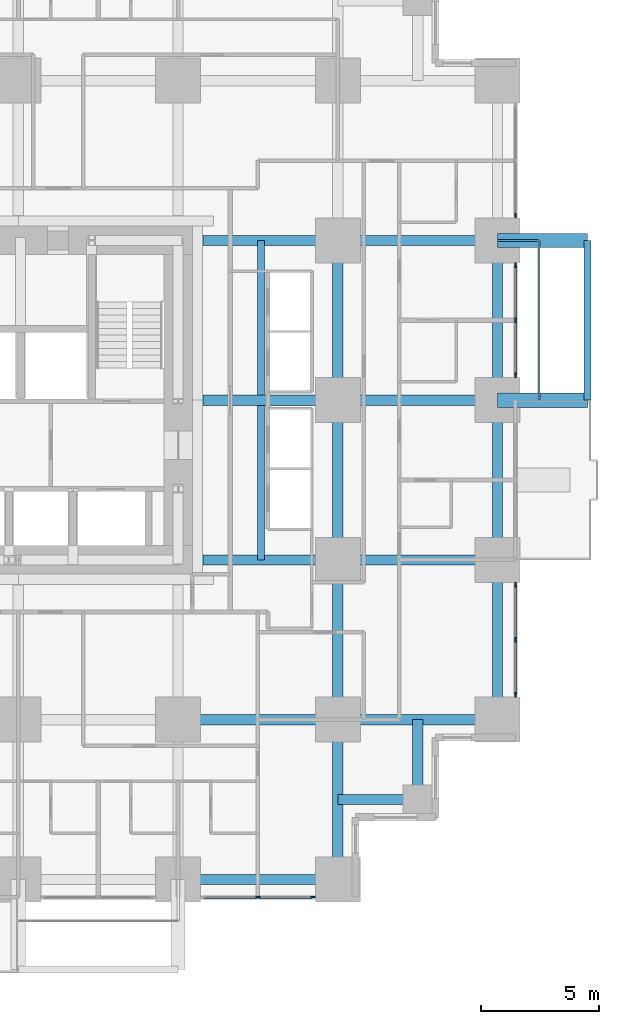
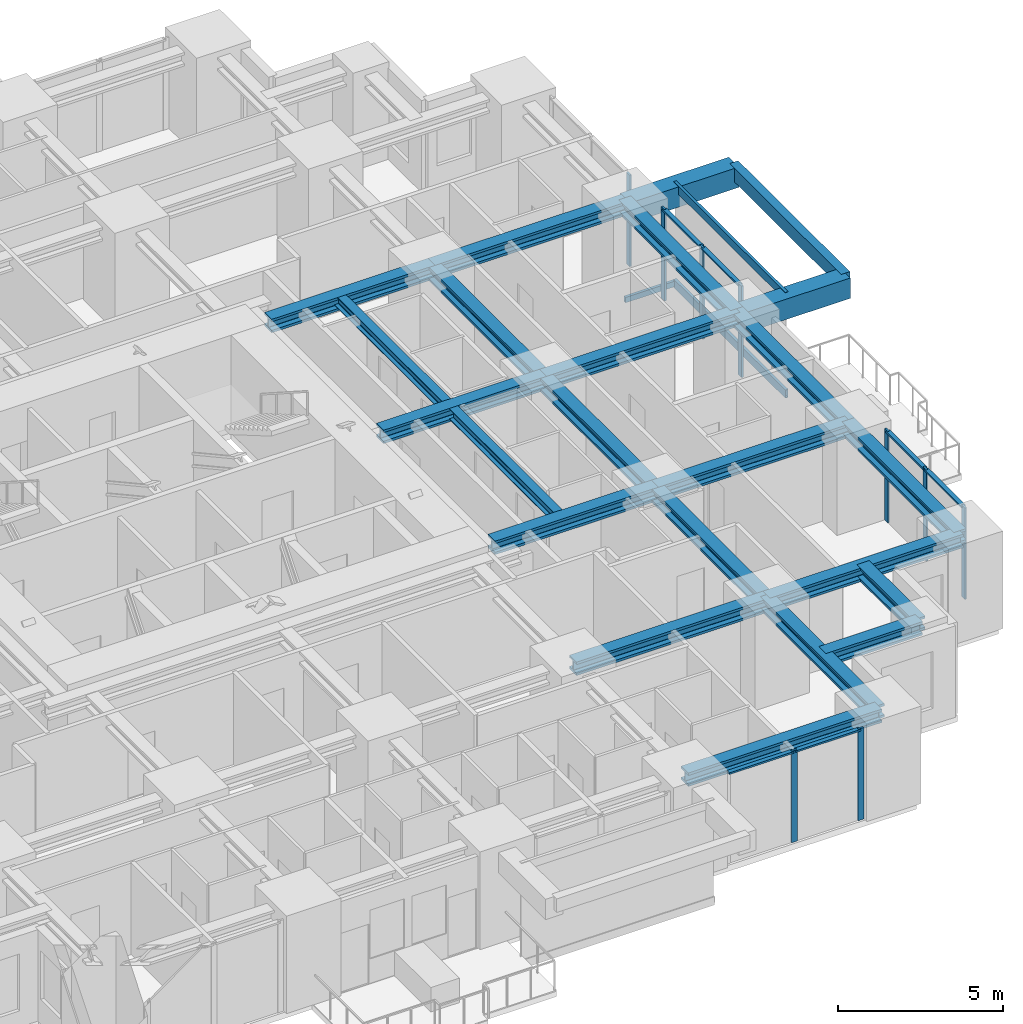
# One storey, part 4 of 14: 23 beams, 18 members, 4 elements without a shape of their own.
"""IFC4 building model written with IfcOpenShell, lengths in metres."""

from ifc_helpers import new_model, si_unit, direction, frame, origin, origin_2d, place, context, subcontext, project, spatial, rectangle, hollow_rectangle, i_section, extrude, material, material_profile, profile_set, type_object, element, aggregate, save


model = new_model("IFC4")

# Units and contexts
model_context = context("Model", 3, precision=1e-05, world=origin(), true_north=direction((0.0, 1.0)))
body_context = subcontext(model_context, "Body", "Model", "MODEL_VIEW")
ifc_project = project(units=[si_unit("LENGTHUNIT", "METRE"), si_unit("AREAUNIT", "SQUARE_METRE"), si_unit("VOLUMEUNIT", "CUBIC_METRE"), si_unit("PLANEANGLEUNIT", "RADIAN"), si_unit("MASSUNIT", "GRAM", prefix="KILO")], contexts=[model_context])

# Site, building, storey
site_placement = place(None, origin())
site = spatial("IfcSite", under=ifc_project, at=site_placement, CompositionType="ELEMENT")
building_placement = place(site_placement, origin())
building = spatial("IfcBuilding", under=site, at=building_placement, Name="Nyansa Garden Tower", CompositionType="ELEMENT")
storey_placement = place(building_placement, frame((0.0, 0.0, 39.60009765625)))
storey = spatial("IfcBuildingStorey", under=building, at=storey_placement, Name="L10", CompositionType="ELEMENT", Elevation=39.60009765625)

# Beams
ifc_material_1 = material(Name="Concrete C70/85", Category="concrete")
ifc_material_profile_1 = material_profile(ifc_material_1, rectangle(XDim=0.60009765625, YDim=0.75, at=origin_2d()), Name="RC 600x750")
ifc_profile_set_1 = profile_set([ifc_material_profile_1], Name="Concrete C70/85")
beam_type_1 = type_object("IfcBeamType", Name="Balcony cantilever beam CB1 RC 600x750", PredefinedType="BEAM", material=ifc_profile_set_1)
for number, where, z_axis, x_axis, name in (
    (1, (40.5, 20.25, 2.98486328125), (1.0, 0.0, 0.0), (0.0, 1.0, 0.0), "Balcony cantilever beam L11"),
    (2, (40.5, 27.0, 2.98486328125), (1.0, 0.0, 0.0), (0.0, 1.0, 0.0), "Balcony cantilever beam L11"),
):
    element("IfcBeam", number, at=place(storey_placement, frame(where, z_axis=z_axis, x_axis=x_axis)), inside=storey, type_object=beam_type_1, Name=name, PredefinedType="BEAM", context=body_context, shape_type="SweptSolid", body=[
        extrude(rectangle(XDim=0.60009765625, YDim=0.75, at=origin_2d()), origin(), (0.0, 0.0, 1.0), 3.800048828125),
    ])
ifc_material_2 = material(Name="Concrete C70/85", Category="concrete")
ifc_material_profile_2 = material_profile(ifc_material_2, rectangle(XDim=0.300048828125, YDim=0.5, at=origin_2d()), Name="RC 300x500")
ifc_profile_set_2 = profile_set([ifc_material_profile_2], Name="Concrete C70/85")
beam_type_2 = type_object("IfcBeamType", Name="Balcony edge beam BE1 RC 300x500", PredefinedType="BEAM", material=ifc_profile_set_2)
beam_1_placement = place(storey_placement, frame((44.300048828125, 20.25, 3.10986328125), z_axis=(0.0, 1.0, 0.0), x_axis=(-1.0, 0.0, 0.0)))
element("IfcBeam", 3, at=beam_1_placement, inside=storey, type_object=beam_type_2, Name="Balcony edge beam L11", PredefinedType="BEAM", context=body_context, shape_type="SweptSolid", body=[
    extrude(rectangle(XDim=0.300048828125, YDim=0.5, at=origin_2d()), origin(), (0.0, 0.0, 1.0), 6.75),
])

# Curtain wall, members
ifc_material_3 = material(Name="Black anodised aluminium, dark tinted double glazing", Category="aluminium")
curtain_wall_type = type_object("IfcCurtainWallType", Name="Inner skin curtain wall ISW-A", PredefinedType="USERDEFINED", material=ifc_material_3)
curtain_wall_1_placement = place(storey_placement, origin())
curtain_wall_1 = element("IfcCurtainWall", 4, at=curtain_wall_1_placement, inside=storey, type_object=curtain_wall_type, Name="Inner skin curtain wall L10 E", ObjectType="UNITISED CURTAIN WALL", PredefinedType="USERDEFINED")
ifc_material_4 = material(Name="Black anodised aluminium", Category="aluminium")
ifc_material_profile_3 = material_profile(ifc_material_4, rectangle(XDim=0.06494140625, YDim=0.199951171875, at=origin_2d()), Name="Mullion 200x65")
ifc_profile_set_3 = profile_set([ifc_material_profile_3], Name="Black anodised aluminium")
member_type_1 = type_object("IfcMemberType", Name="Mullion ISW-A 200x65", PredefinedType="MULLION", material=ifc_profile_set_3)
member_1_placement = place(storey_placement, frame((41.25, 7.800048828125, 0.0), z_axis=(0.0, 0.0, 1.0), x_axis=(-1.0, 0.0, 0.0)))
member_1 = element("IfcMember", 5, at=member_1_placement, type_object=member_type_1, Name="ISW-A mullion 1", PredefinedType="MULLION", context=body_context, shape_type="SweptSolid", body=[
    extrude(rectangle(XDim=0.06494140625, YDim=0.199951171875, at=origin_2d()), origin(), (0.0, 0.0, 1.0), 3.375),
])
member_2_placement = place(storey_placement, frame((41.25, 10.125, 0.0), z_axis=(0.0, 0.0, 1.0), x_axis=(-1.0, 0.0, 0.0)))
member_2 = element("IfcMember", 6, at=member_2_placement, type_object=member_type_1, Name="ISW-A mullion 2", PredefinedType="MULLION", context=body_context, shape_type="SweptSolid", body=[
    extrude(rectangle(XDim=0.06494140625, YDim=0.199951171875, at=origin_2d()), origin(), (0.0, 0.0, 1.0), 3.375),
])
member_3_placement = place(storey_placement, frame((41.25, 12.449951171875, 0.0), z_axis=(0.0, 0.0, 1.0), x_axis=(-1.0, 0.0, 0.0)))
member_3 = element("IfcMember", 7, at=member_3_placement, type_object=member_type_1, Name="ISW-A mullion 3", PredefinedType="MULLION", context=body_context, shape_type="SweptSolid", body=[
    extrude(rectangle(XDim=0.06494140625, YDim=0.199951171875, at=origin_2d()), origin(), (0.0, 0.0, 1.0), 3.375),
])

curtain_wall_2_placement = place(storey_placement, origin())
curtain_wall_2 = element("IfcCurtainWall", 8, at=curtain_wall_2_placement, inside=storey, type_object=curtain_wall_type, Name="Inner skin curtain wall L10 E", ObjectType="UNITISED CURTAIN WALL", PredefinedType="USERDEFINED")
member_4_placement = place(storey_placement, frame((41.25, 21.300048828125, 0.0), z_axis=(0.0, 0.0, 1.0), x_axis=(-1.0, 0.0, 0.0)))
member_4 = element("IfcMember", 9, at=member_4_placement, type_object=member_type_1, Name="ISW-A mullion 1", PredefinedType="MULLION", context=body_context, shape_type="SweptSolid", body=[
    extrude(rectangle(XDim=0.06494140625, YDim=0.199951171875, at=origin_2d()), origin(), (0.0, 0.0, 1.0), 3.375),
])
member_5_placement = place(storey_placement, frame((41.25, 23.625, 0.0), z_axis=(0.0, 0.0, 1.0), x_axis=(-1.0, 0.0, 0.0)))
member_5 = element("IfcMember", 10, at=member_5_placement, type_object=member_type_1, Name="ISW-A mullion 2", PredefinedType="MULLION", context=body_context, shape_type="SweptSolid", body=[
    extrude(rectangle(XDim=0.06494140625, YDim=0.199951171875, at=origin_2d()), origin(), (0.0, 0.0, 1.0), 3.375),
])
member_6_placement = place(storey_placement, frame((41.25, 25.949951171875, 0.0), z_axis=(0.0, 0.0, 1.0), x_axis=(-1.0, 0.0, 0.0)))
member_6 = element("IfcMember", 11, at=member_6_placement, type_object=member_type_1, Name="ISW-A mullion 3", PredefinedType="MULLION", context=body_context, shape_type="SweptSolid", body=[
    extrude(rectangle(XDim=0.06494140625, YDim=0.199951171875, at=origin_2d()), origin(), (0.0, 0.0, 1.0), 3.375),
])

# Curtain wall, member
curtain_wall_3_placement = place(storey_placement, origin())
curtain_wall_3 = element("IfcCurtainWall", 12, at=curtain_wall_3_placement, inside=storey, type_object=curtain_wall_type, Name="Inner skin curtain wall L10 E", ObjectType="UNITISED CURTAIN WALL", PredefinedType="USERDEFINED")
member_7_placement = place(storey_placement, frame((41.25, 28.050048828125, 0.0), z_axis=(0.0, 0.0, 1.0), x_axis=(-1.0, 0.0, 0.0)))
member_7 = element("IfcMember", 13, at=member_7_placement, type_object=member_type_1, Name="ISW-A mullion 1", PredefinedType="MULLION", context=body_context, shape_type="SweptSolid", body=[
    extrude(rectangle(XDim=0.06494140625, YDim=0.199951171875, at=origin_2d()), origin(), (0.0, 0.0, 1.0), 3.375),
])
aggregate(curtain_wall_3, [member_7])

# Curtain wall, members
curtain_wall_4_placement = place(storey_placement, origin())
curtain_wall_4 = element("IfcCurtainWall", 14, at=curtain_wall_4_placement, inside=storey, type_object=curtain_wall_type, Name="Inner skin curtain wall L10 S", ObjectType="UNITISED CURTAIN WALL", PredefinedType="USERDEFINED")
member_8_placement = place(storey_placement, frame((30.375, -0.75, 0.0), z_axis=(0.0, 0.0, 1.0), x_axis=(0.0, 1.0, 0.0)))
member_8 = element("IfcMember", 15, at=member_8_placement, type_object=member_type_1, Name="ISW-A mullion 2", PredefinedType="MULLION", context=body_context, shape_type="SweptSolid", body=[
    extrude(rectangle(XDim=0.06494140625, YDim=0.199951171875, at=origin_2d()), origin(), (0.0, 0.0, 1.0), 3.375),
])
member_9_placement = place(storey_placement, frame((32.699951171875, -0.75, 0.0), z_axis=(0.0, 0.0, 1.0), x_axis=(0.0, 1.0, 0.0)))
member_9 = element("IfcMember", 16, at=member_9_placement, type_object=member_type_1, Name="ISW-A mullion 3", PredefinedType="MULLION", context=body_context, shape_type="SweptSolid", body=[
    extrude(rectangle(XDim=0.06494140625, YDim=0.199951171875, at=origin_2d()), origin(), (0.0, 0.0, 1.0), 3.375),
])

# Members
ifc_material_5 = material(Name="Steel S355, black powder coated", Category="steel")
ifc_material_profile_4 = material_profile(ifc_material_5, hollow_rectangle(XDim=0.10009765625, YDim=0.199951171875, WallThickness=0.008056640625, at=origin_2d()), Name="RHS 200x100x8")
ifc_profile_set_4 = profile_set([ifc_material_profile_4], Name="Steel S355, black powder coated")
member_type_2 = type_object("IfcMemberType", Name="Outer skin bracket arm RHS 200x100x8", PredefinedType="USERDEFINED", material=ifc_profile_set_4)
member_10_placement = place(storey_placement, frame((40.5, 27.0, -0.375), z_axis=(1.0, 0.0, 0.0), x_axis=(0.0, 1.0, 0.0)))
element("IfcMember", 17, at=member_10_placement, inside=storey, type_object=member_type_2, Name="Outer skin bracket arm", ObjectType="OUTER SKIN BRACKET", PredefinedType="USERDEFINED", context=body_context, shape_type="SweptSolid", body=[
    extrude(hollow_rectangle(XDim=0.10009765625, YDim=0.199951171875, WallThickness=0.008056640625, at=origin_2d()), origin(), (0.0, 0.0, 1.0), 1.75),
])
ifc_material_6 = material(Name="Steel S355, black powder coated", Category="steel")
ifc_material_profile_5 = material_profile(ifc_material_6, hollow_rectangle(XDim=0.10009765625, YDim=0.300048828125, WallThickness=0.010009765625, at=origin_2d()), Name="RHS 300x100x10")
ifc_profile_set_5 = profile_set([ifc_material_profile_5], Name="Steel S355, black powder coated")
member_type_3 = type_object("IfcMemberType", Name="Outer skin rail RHS 300x100x10", PredefinedType="USERDEFINED", material=ifc_profile_set_5)
for number, where, z_axis, x_axis, name in (
    (18, (42.25, 20.25, -0.375), (0.0, 1.0, 0.0), (-1.0, 0.0, 0.0), "Outer skin rail L10"),
    (19, (42.25, 20.25, 3.224853515625), (0.0, 1.0, 0.0), (-1.0, 0.0, 0.0), "Outer skin rail L10 head"),
):
    element("IfcMember", number, at=place(storey_placement, frame(where, z_axis=z_axis, x_axis=x_axis)), inside=storey, type_object=member_type_3, Name=name, ObjectType="OUTER SKIN RAIL", PredefinedType="USERDEFINED", context=body_context, shape_type="SweptSolid", body=[
        extrude(hollow_rectangle(XDim=0.10009765625, YDim=0.300048828125, WallThickness=0.010009765625, at=origin_2d()), origin(), (0.0, 0.0, 1.0), 6.75),
    ])

# Beams
ifc_material_7 = material(Name="Steel S355", Category="steel")
ifc_material_profile_6 = material_profile(ifc_material_7, i_section(OverallWidth=0.431884765625, OverallDepth=0.498046875, WebThickness=0.0556640625, FlangeThickness=0.0888671875, FilletRadius=0.014892578125, at=origin_2d()), Name="HD 400x744")
ifc_profile_set_6 = profile_set([ifc_material_profile_6], Name="Steel S355")
beam_type_3 = type_object("IfcBeamType", Name="Steel beam SBA1-744 HD 400x744", PredefinedType="BEAM", material=ifc_profile_set_6)
beam_2_placement = place(storey_placement, frame((27.0, 6.75, 3.1259765625), z_axis=(1.0, 0.0, 0.0), x_axis=(0.0, 1.0, 0.0)))
element("IfcBeam", 20, at=beam_2_placement, inside=storey, type_object=beam_type_3, Name="Steel beam 6/E-7/E L11", PredefinedType="BEAM", context=body_context, shape_type="SweptSolid", body=[
    extrude(i_section(OverallWidth=0.431884765625, OverallDepth=0.498046875, WebThickness=0.0556640625, FlangeThickness=0.0888671875, FilletRadius=0.014892578125, at=origin_2d()), origin(), (0.0, 0.0, 1.0), 6.75),
])
for number, where, z_axis, x_axis, name in (
    (21, (28.050048828125, 13.5, 3.1259765625), (1.0, 0.0, 0.0), (0.0, 1.0, 0.0), "Steel beam 28.050/F-7/F L11"),
    (22, (28.050048828125, 20.25, 3.1259765625), (1.0, 0.0, 0.0), (0.0, 1.0, 0.0), "Steel beam 28.050/G-7/G L11"),
    (23, (28.050048828125, 27.0, 3.1259765625), (1.0, 0.0, 0.0), (0.0, 1.0, 0.0), "Steel beam 28.050/H-7/H L11"),
):
    element("IfcBeam", number, at=place(storey_placement, frame(where, z_axis=z_axis, x_axis=x_axis)), inside=storey, type_object=beam_type_3, Name=name, PredefinedType="BEAM", context=body_context, shape_type="SweptSolid", body=[
        extrude(i_section(OverallWidth=0.431884765625, OverallDepth=0.498046875, WebThickness=0.0556640625, FlangeThickness=0.0888671875, FilletRadius=0.014892578125, at=origin_2d()), origin(), (0.0, 0.0, 1.0), 5.699951171875),
    ])
for number, where, z_axis, x_axis, name in (
    (24, (33.75, 0.0, 3.1259765625), (0.0, 1.0, 0.0), (-1.0, 0.0, 0.0), "Steel beam 7/D-7/E L11"),
    (25, (33.75, 6.75, 3.1259765625), (0.0, 1.0, 0.0), (-1.0, 0.0, 0.0), "Steel beam 7/E-7/F L11"),
    (26, (33.75, 6.75, 3.1259765625), (1.0, 0.0, 0.0), (0.0, 1.0, 0.0), "Steel beam 7/E-8/E L11"),
    (27, (33.75, 13.5, 3.1259765625), (0.0, 1.0, 0.0), (-1.0, 0.0, 0.0), "Steel beam 7/F-7/G L11"),
    (28, (33.75, 13.5, 3.1259765625), (1.0, 0.0, 0.0), (0.0, 1.0, 0.0), "Steel beam 7/F-8/F L11"),
    (29, (33.75, 20.25, 3.1259765625), (0.0, 1.0, 0.0), (-1.0, 0.0, 0.0), "Steel beam 7/G-7/H L11"),
    (30, (33.75, 20.25, 3.1259765625), (1.0, 0.0, 0.0), (0.0, 1.0, 0.0), "Steel beam 7/G-8/G L11"),
    (31, (33.75, 27.0, 3.1259765625), (1.0, 0.0, 0.0), (0.0, 1.0, 0.0), "Steel beam 7/H-8/H L11"),
):
    element("IfcBeam", number, at=place(storey_placement, frame(where, z_axis=z_axis, x_axis=x_axis)), inside=storey, type_object=beam_type_3, Name=name, PredefinedType="BEAM", context=body_context, shape_type="SweptSolid", body=[
        extrude(i_section(OverallWidth=0.431884765625, OverallDepth=0.498046875, WebThickness=0.0556640625, FlangeThickness=0.0888671875, FilletRadius=0.014892578125, at=origin_2d()), origin(), (0.0, 0.0, 1.0), 6.75),
    ])
ifc_material_8 = material(Name="Steel S355", Category="steel")
ifc_material_profile_7 = material_profile(ifc_material_8, i_section(OverallWidth=0.431884765625, OverallDepth=0.498046875, WebThickness=0.0556640625, FlangeThickness=0.0888671875, FilletRadius=0.014892578125, at=origin_2d()), Name="HD 400x744")
ifc_profile_set_7 = profile_set([ifc_material_profile_7], Name="Steel S355")
beam_type_4 = type_object("IfcBeamType", Name="Steel beam SEBA-744 HD 400x744", PredefinedType="BEAM", material=ifc_profile_set_7)
for number, where, z_axis, x_axis, name in (
    (32, (27.0, 0.0, 3.1259765625), (1.0, 0.0, 0.0), (0.0, 1.0, 0.0), "Steel edge beam 6/D-7/D L11"),
    (33, (40.5, 6.75, 3.1259765625), (0.0, 1.0, 0.0), (-1.0, 0.0, 0.0), "Steel edge beam 8/E-8/F L11"),
    (34, (40.5, 13.5, 3.1259765625), (0.0, 1.0, 0.0), (-1.0, 0.0, 0.0), "Steel edge beam 8/F-8/G L11"),
    (35, (40.5, 20.25, 3.1259765625), (0.0, 1.0, 0.0), (-1.0, 0.0, 0.0), "Steel edge beam 8/G-8/H L11"),
):
    element("IfcBeam", number, at=place(storey_placement, frame(where, z_axis=z_axis, x_axis=x_axis)), inside=storey, type_object=beam_type_4, Name=name, PredefinedType="BEAM", context=body_context, shape_type="SweptSolid", body=[
        extrude(i_section(OverallWidth=0.431884765625, OverallDepth=0.498046875, WebThickness=0.0556640625, FlangeThickness=0.0888671875, FilletRadius=0.014892578125, at=origin_2d()), origin(), (0.0, 0.0, 1.0), 6.75),
    ])
ifc_material_9 = material(Name="Steel S355", Category="steel")
ifc_material_profile_8 = material_profile(ifc_material_9, i_section(OverallWidth=0.431884765625, OverallDepth=0.498046875, WebThickness=0.0556640625, FlangeThickness=0.0888671875, FilletRadius=0.014892578125, at=origin_2d()), Name="HD 400x744")
ifc_profile_set_8 = profile_set([ifc_material_profile_8], Name="Steel S355")
beam_type_5 = type_object("IfcBeamType", Name="Steel beam SSB1-744 HD 400x744", PredefinedType="BEAM", material=ifc_profile_set_8)
for number, where, z_axis, x_axis, name in (
    (36, (37.125, 3.375, 3.1259765625), (0.0, 1.0, 0.0), (-1.0, 0.0, 0.0), "Steel step beam 37.125/3.375 L11"),
    (37, (37.125, 3.375, 3.1259765625), (-1.0, 0.0, 0.0), (0.0, -1.0, 0.0), "Steel step beam 37.125/3.375 L11"),
):
    element("IfcBeam", number, at=place(storey_placement, frame(where, z_axis=z_axis, x_axis=x_axis)), inside=storey, type_object=beam_type_5, Name=name, PredefinedType="BEAM", context=body_context, shape_type="SweptSolid", body=[
        extrude(i_section(OverallWidth=0.431884765625, OverallDepth=0.498046875, WebThickness=0.0556640625, FlangeThickness=0.0888671875, FilletRadius=0.014892578125, at=origin_2d()), origin(), (0.0, 0.0, 1.0), 3.375),
    ])

# Member
ifc_material_10 = material(Name="Black anodised aluminium", Category="aluminium")
ifc_material_profile_9 = material_profile(ifc_material_10, rectangle(XDim=0.14990234375, YDim=0.06494140625, at=origin_2d()), Name="Transom 150x65")
ifc_profile_set_9 = profile_set([ifc_material_profile_9], Name="Black anodised aluminium")
member_type_4 = type_object("IfcMemberType", Name="Transom ISW-A 150x65", PredefinedType="USERDEFINED", material=ifc_profile_set_9)
member_11_placement = place(storey_placement, frame((41.25, 7.83251953125, 3.34228515625), z_axis=(0.0, 1.0, 0.0), x_axis=(-1.0, 0.0, 0.0)))
member_11 = element("IfcMember", 38, at=member_11_placement, type_object=member_type_4, Name="ISW-A transom 1", ObjectType="TRANSOM", PredefinedType="USERDEFINED", context=body_context, shape_type="SweptSolid", body=[
    extrude(rectangle(XDim=0.14990234375, YDim=0.06494140625, at=origin_2d()), origin(), (0.0, 0.0, 1.0), 2.260009765625),
])

member_12_placement = place(storey_placement, frame((41.25, 10.157470703125, 3.34228515625), z_axis=(0.0, 1.0, 0.0), x_axis=(-1.0, 0.0, 0.0)))
member_12 = element("IfcMember", 39, at=member_12_placement, type_object=member_type_4, Name="ISW-A transom 2", ObjectType="TRANSOM", PredefinedType="USERDEFINED", context=body_context, shape_type="SweptSolid", body=[
    extrude(rectangle(XDim=0.14990234375, YDim=0.06494140625, at=origin_2d()), origin(), (0.0, 0.0, 1.0), 2.260009765625),
])

aggregate(curtain_wall_1, [member_1, member_2, member_3, member_11, member_12])

member_13_placement = place(storey_placement, frame((41.25, 21.33251953125, 3.34228515625), z_axis=(0.0, 1.0, 0.0), x_axis=(-1.0, 0.0, 0.0)))
member_13 = element("IfcMember", 40, at=member_13_placement, type_object=member_type_4, Name="ISW-A transom 1", ObjectType="TRANSOM", PredefinedType="USERDEFINED", context=body_context, shape_type="SweptSolid", body=[
    extrude(rectangle(XDim=0.14990234375, YDim=0.06494140625, at=origin_2d()), origin(), (0.0, 0.0, 1.0), 2.260009765625),
])

member_14_placement = place(storey_placement, frame((41.25, 23.657470703125, 3.34228515625), z_axis=(0.0, 1.0, 0.0), x_axis=(-1.0, 0.0, 0.0)))
member_14 = element("IfcMember", 41, at=member_14_placement, type_object=member_type_4, Name="ISW-A transom 2", ObjectType="TRANSOM", PredefinedType="USERDEFINED", context=body_context, shape_type="SweptSolid", body=[
    extrude(rectangle(XDim=0.14990234375, YDim=0.06494140625, at=origin_2d()), origin(), (0.0, 0.0, 1.0), 2.260009765625),
])

aggregate(curtain_wall_2, [member_4, member_5, member_6, member_13, member_14])

member_15_placement = place(storey_placement, frame((28.08251953125, -0.75, 3.34228515625), z_axis=(1.0, 0.0, 0.0), x_axis=(0.0, 1.0, 0.0)))
member_15 = element("IfcMember", 42, at=member_15_placement, type_object=member_type_4, Name="ISW-A transom 1", ObjectType="TRANSOM", PredefinedType="USERDEFINED", context=body_context, shape_type="SweptSolid", body=[
    extrude(rectangle(XDim=0.14990234375, YDim=0.06494140625, at=origin_2d()), origin(), (0.0, 0.0, 1.0), 2.260009765625),
])

member_16_placement = place(storey_placement, frame((30.407470703125, -0.75, 3.34228515625), z_axis=(1.0, 0.0, 0.0), x_axis=(0.0, 1.0, 0.0)))
member_16 = element("IfcMember", 43, at=member_16_placement, type_object=member_type_4, Name="ISW-A transom 2", ObjectType="TRANSOM", PredefinedType="USERDEFINED", context=body_context, shape_type="SweptSolid", body=[
    extrude(rectangle(XDim=0.14990234375, YDim=0.06494140625, at=origin_2d()), origin(), (0.0, 0.0, 1.0), 2.260009765625),
])

aggregate(curtain_wall_4, [member_8, member_9, member_15, member_16])

# Beams
ifc_material_11 = material(Name="Steel S355", Category="steel")
ifc_material_profile_10 = material_profile(ifc_material_11, i_section(OverallWidth=0.300048828125, OverallDepth=0.39990234375, WebThickness=0.013427734375, FlangeThickness=0.02392578125, FilletRadius=0.027099609375, at=origin_2d()), Name="HE 400 B")
ifc_profile_set_10 = profile_set([ifc_material_profile_10], Name="Steel S355")
beam_type_6 = type_object("IfcBeamType", Name="Trimmer beam TR1 HE 400 B", PredefinedType="BEAM", material=ifc_profile_set_10)
for number, where, z_axis, x_axis, name in (
    (44, (30.5, 13.5, 3.1748046875), (0.0, 1.0, 0.0), (-1.0, 0.0, 0.0), "Trimmer beam 1 L11"),
    (45, (30.5, 20.466064453125, 3.1748046875), (0.0, 1.0, 0.0), (-1.0, 0.0, 0.0), "Trimmer beam 2 L11"),
):
    element("IfcBeam", number, at=place(storey_placement, frame(where, z_axis=z_axis, x_axis=x_axis)), inside=storey, type_object=beam_type_6, Name=name, PredefinedType="BEAM", context=body_context, shape_type="SweptSolid", body=[
        extrude(i_section(OverallWidth=0.300048828125, OverallDepth=0.39990234375, WebThickness=0.013427734375, FlangeThickness=0.02392578125, FilletRadius=0.027099609375, at=origin_2d()), origin(), (0.0, 0.0, 1.0), 6.533935546875),
    ])

save(model, "model.ifc")
